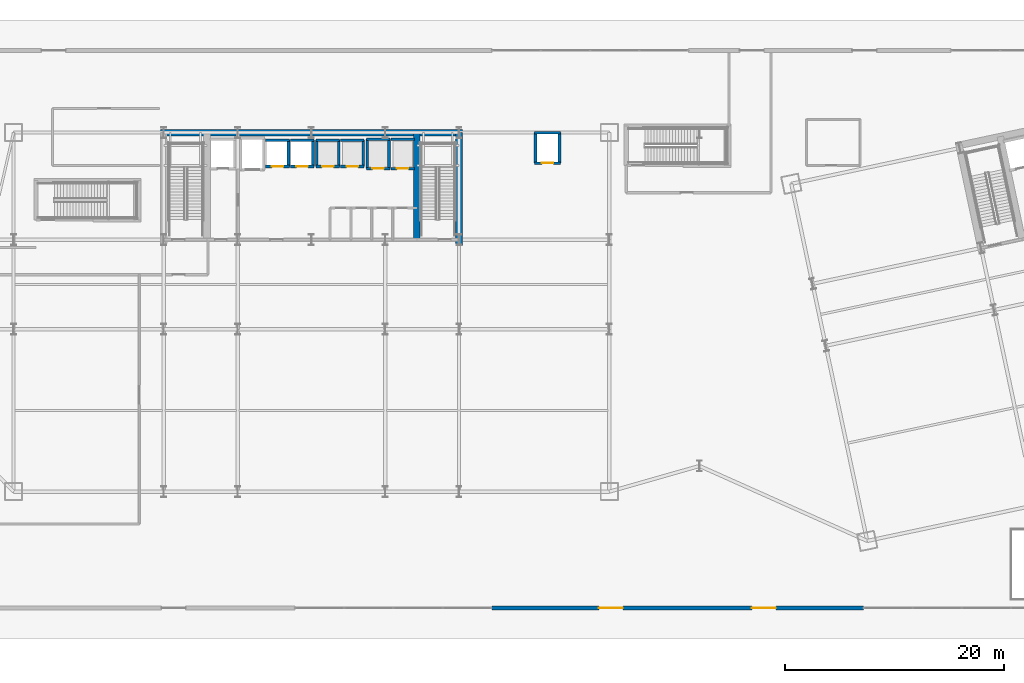
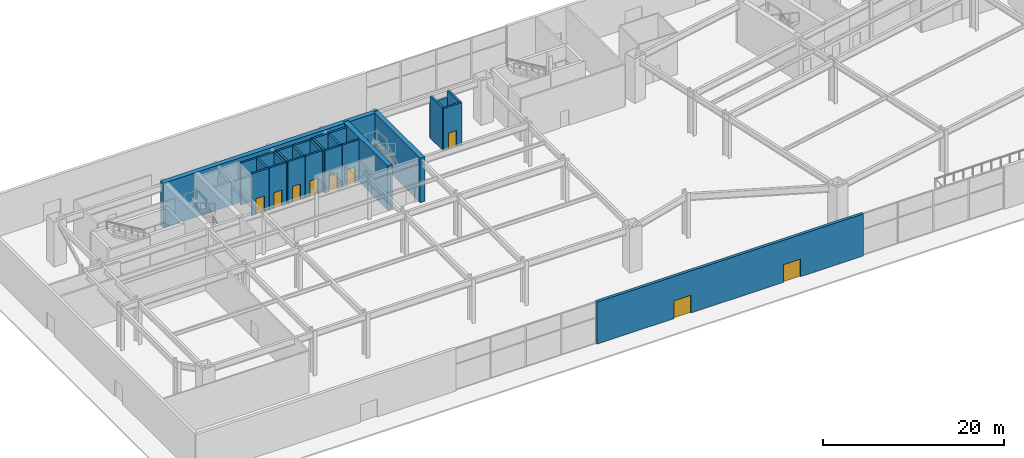
# One storey, part 21 of 30: 27 walls, 9 doors, 9 openings.
"""IFC4 building model written with IfcOpenShell, lengths in metres."""

from ifc_helpers import new_model, si_unit, direction, frame, frame_2d, origin, place, context, subcontext, project, spatial, rectangle, extrude, material, layer, layer_set, type_object, element, fill, save


model = new_model("IFC4")

# Units and contexts
model_context = context("Model", 3, precision=1e-05, world=origin(), true_north=direction((0.0, 1.0)))
body_context = subcontext(model_context, "Body", "Model", "MODEL_VIEW")
ifc_project = project(units=[si_unit("LENGTHUNIT", "METRE"), si_unit("AREAUNIT", "SQUARE_METRE"), si_unit("VOLUMEUNIT", "CUBIC_METRE"), si_unit("PLANEANGLEUNIT", "RADIAN"), si_unit("MASSUNIT", "GRAM", prefix="KILO")], contexts=[model_context])

# Site, building, storey
site_placement = place(None, origin())
site = spatial("IfcSite", under=ifc_project, at=site_placement, CompositionType="ELEMENT")
building_placement = place(site_placement, origin())
building = spatial("IfcBuilding", under=site, at=building_placement, Name="Haevon Station Towers", CompositionType="ELEMENT")
storey_placement = place(building_placement, origin())
storey = spatial("IfcBuildingStorey", under=building, at=storey_placement, Name="L00", CompositionType="ELEMENT", Elevation=0.0)

# Walls
ifc_material_1 = material(Name="Concrete C60/75", Category="concrete")
ifc_layer_1 = layer(ifc_material_1, 0.60009765625)
ifc_layer_set_1 = layer_set([ifc_layer_1], Name="Concrete C60/75")
wall_type_1 = type_object("IfcWallType", Name="WL-CR600", PredefinedType="SHEAR", material=ifc_layer_set_1)
wall_1_placement = place(storey_placement, frame((23.699951171875, 48.0, 0.0), z_axis=(0.0, 0.0, 1.0), x_axis=(1.0, 0.0, 0.0)))
element("IfcWall", 1, at=wall_1_placement, inside=storey, type_object=wall_type_1, Name="WL-T1CR-L00-N", PredefinedType="SHEAR", context=body_context, shape_type="SweptSolid", body=[
    extrude(rectangle(XDim=27.60009765625, YDim=0.60009765625, at=frame_2d((13.800048828125, 0.0))), origin(), (0.0, 0.0, 1.0), 6.0),
])
wall_2_placement = place(storey_placement, frame((51.0, 37.679931640625, 0.0), z_axis=(0.0, 0.0, 1.0), x_axis=(0.0, 1.0, 0.0)))
element("IfcWall", 2, at=wall_2_placement, inside=storey, type_object=wall_type_1, Name="WL-T1CR-L00-E", PredefinedType="SHEAR", context=body_context, shape_type="SweptSolid", body=[
    extrude(rectangle(XDim=10.320068359375, YDim=0.60009765625, at=frame_2d((5.16015625, 0.0))), origin(), (0.0, 0.0, 1.0), 6.0),
])
wall_3_placement = place(storey_placement, frame((47.14990234375, 38.199951171875, 0.0), z_axis=(0.0, 0.0, 1.0), x_axis=(0.0, 1.0, 0.0)))
element("IfcWall", 3, at=wall_3_placement, inside=storey, type_object=wall_type_1, Name="WL-T1CR-L00-M2", PredefinedType="SHEAR", context=body_context, shape_type="SweptSolid", body=[
    extrude(rectangle(XDim=9.800048828125, YDim=0.60009765625, at=frame_2d((4.89990234375, 0.0))), origin(), (0.0, 0.0, 1.0), 6.0),
])

# Wall, openings, doors
ifc_material_2 = material(Name="Precast concrete C45/55", Category="concrete")
ifc_layer_2 = layer(ifc_material_2, 0.360107421875)
ifc_layer_set_2 = layer_set([ifc_layer_2], Name="Precast concrete C45/55")
wall_type_2 = type_object("IfcWallType", Name="WL-EXT-POD360", PredefinedType="SOLIDWALL", material=ifc_layer_set_2)
wall_4_placement = place(storey_placement, frame((88.0, 4.5, 0.0), z_axis=(0.0, 0.0, 1.0), x_axis=(-1.0, 0.0, 0.0)))
wall_4 = element("IfcWall", 4, at=wall_4_placement, inside=storey, type_object=wall_type_2, Name="WL-POD-L00-S2", PredefinedType="SOLIDWALL", context=body_context, shape_type="SweptSolid", body=[
    extrude(rectangle(XDim=34.0, YDim=0.360107421875, at=frame_2d((17.0, 0.0))), origin(), (0.0, 0.0, 1.0), 5.679931640625),
])
opening_1_placement = place(wall_4_placement, frame((8.0, 0.0, 0.0)))
opening_1 = element("IfcOpeningElement", 5, at=opening_1_placement, cuts=wall_4, Name="Opening DR-L00-EXIT-03", PredefinedType="OPENING", context=body_context, shape_type="SweptSolid", body=[
    extrude(rectangle(XDim=2.199951171875, YDim=2.39990234375, at=frame_2d((1.10009765625, 1.199951171875))), frame((0.0, 0.18994140625, 0.0), z_axis=(0.0, -1.0, 0.0), x_axis=(1.0, 0.0, 0.0)), (0.0, 0.0, 1.0), 0.380126953125),
])
opening_2_placement = place(wall_4_placement, frame((22.0, 0.0, 0.0)))
opening_2 = element("IfcOpeningElement", 6, at=opening_2_placement, cuts=wall_4, Name="Opening DR-L00-EXIT-04", PredefinedType="OPENING", context=body_context, shape_type="SweptSolid", body=[
    extrude(rectangle(XDim=2.199951171875, YDim=2.39990234375, at=frame_2d((1.10009765625, 1.199951171875))), frame((0.0, 0.18994140625, 0.0), z_axis=(0.0, -1.0, 0.0), x_axis=(1.0, 0.0, 0.0)), (0.0, 0.0, 1.0), 0.380126953125),
])
ifc_material_3 = material(Name="Thermally broken anodised aluminium and laminated safety glass", Category="aluminium")
door_type_1 = type_object("IfcDoorType", Name="DR-EXT-2200", OperationType="NOTDEFINED", PredefinedType="DOOR", material=ifc_material_3)
door_1_placement = place(opening_1_placement, origin())
door_1 = element("IfcDoor", 7, at=door_1_placement, inside=storey, type_object=door_type_1, Name="L00 Pedestrian Street Exit Door 03", OperationType="DOUBLE_DOOR_SINGLE_SWING", OverallHeight=2.39990234375, OverallWidth=2.199951171875, PredefinedType="DOOR", context=body_context, shape_type="SweptSolid", body=[
    extrude(rectangle(XDim=2.199951171875, YDim=2.39990234375, at=frame_2d((1.10009765625, 1.199951171875))), frame((0.0, 0.02490234375, 0.0), z_axis=(0.0, -1.0, 0.0), x_axis=(1.0, 0.0, 0.0)), (0.0, 0.0, 1.0), 0.050048828125),
])
fill(opening_1, door_1)
door_2_placement = place(opening_2_placement, origin())
door_2 = element("IfcDoor", 8, at=door_2_placement, inside=storey, type_object=door_type_1, Name="L00 Pedestrian Street Exit Door 04", OperationType="DOUBLE_DOOR_SINGLE_SWING", OverallHeight=2.39990234375, OverallWidth=2.199951171875, PredefinedType="DOOR", context=body_context, shape_type="SweptSolid", body=[
    extrude(rectangle(XDim=2.199951171875, YDim=2.39990234375, at=frame_2d((1.10009765625, 1.199951171875))), frame((0.0, 0.02490234375, 0.0), z_axis=(0.0, -1.0, 0.0), x_axis=(1.0, 0.0, 0.0)), (0.0, 0.0, 1.0), 0.050048828125),
])
fill(opening_2, door_2)

# Wall, opening, door
ifc_material_4 = material(Name="Concrete C40/50", Category="concrete")
ifc_layer_3 = layer(ifc_material_4, 0.239990234375)
ifc_layer_set_3 = layer_set([ifc_layer_3], Name="Concrete C40/50")
wall_type_3 = type_object("IfcWallType", Name="WL-SHF240", PredefinedType="PARTITIONING", material=ifc_layer_set_3)
wall_5_placement = place(storey_placement, frame((33.320068359375, 44.89990234375, 0.0), z_axis=(0.0, 0.0, 1.0), x_axis=(1.0, 0.0, 0.0)))
wall_5 = element("IfcWall", 9, at=wall_5_placement, inside=storey, type_object=wall_type_3, Name="WL-SHF-PL1-L00", PredefinedType="PARTITIONING", context=body_context, shape_type="SweptSolid", body=[
    extrude(rectangle(XDim=2.159912109375, YDim=0.239990234375, at=frame_2d((1.080078125, 0.0))), origin(), (0.0, 0.0, 1.0), 5.679931640625),
])
opening_3_placement = place(wall_5_placement, frame((0.554931640625, 0.0, 0.0)))
opening_3 = element("IfcOpeningElement", 10, at=opening_3_placement, cuts=wall_5, Name="Opening LD-PL1-L00", PredefinedType="OPENING", context=body_context, shape_type="SweptSolid", body=[
    extrude(rectangle(XDim=1.050048828125, YDim=2.14990234375, at=frame_2d((0.52490234375, 1.074951171875))), frame((0.0, 0.1298828125, 0.0), z_axis=(0.0, -1.0, 0.0), x_axis=(1.0, 0.0, 0.0)), (0.0, 0.0, 1.0), 0.260009765625),
])
ifc_material_5 = material(Name="Stainless steel and rated core", Category="steel")
door_type_2 = type_object("IfcDoorType", Name="LD-PL1050", OperationType="SLIDING_TO_LEFT", PredefinedType="DOOR", material=ifc_material_5)
door_3_placement = place(opening_3_placement, origin())
door_3 = element("IfcDoor", 11, at=door_3_placement, inside=storey, type_object=door_type_2, Name="L00 Lift PL1 Sliding Landing Door", OperationType="SLIDING_TO_LEFT", OverallHeight=2.14990234375, OverallWidth=1.050048828125, PredefinedType="DOOR", context=body_context, shape_type="SweptSolid", body=[
    extrude(rectangle(XDim=1.050048828125, YDim=2.14990234375, at=frame_2d((0.52490234375, 1.074951171875))), frame((0.0, 0.02490234375, 0.0), z_axis=(0.0, -1.0, 0.0), x_axis=(1.0, 0.0, 0.0)), (0.0, 0.0, 1.0), 0.050048828125),
])
fill(opening_3, door_3)

# Walls
wall_6_placement = place(storey_placement, frame((33.320068359375, 47.300048828125, 0.0), z_axis=(0.0, 0.0, 1.0), x_axis=(1.0, 0.0, 0.0)))
element("IfcWall", 12, at=wall_6_placement, inside=storey, type_object=wall_type_3, Name="WL-SHF-PL1-L00-N", PredefinedType="PARTITIONING", context=body_context, shape_type="SweptSolid", body=[
    extrude(rectangle(XDim=2.159912109375, YDim=0.239990234375, at=frame_2d((1.080078125, 0.0))), origin(), (0.0, 0.0, 1.0), 5.679931640625),
])
wall_7_placement = place(storey_placement, frame((35.39990234375, 44.89990234375, 0.0), z_axis=(0.0, 0.0, 1.0), x_axis=(0.0, 1.0, 0.0)))
element("IfcWall", 13, at=wall_7_placement, inside=storey, type_object=wall_type_3, Name="WL-SHF-PL1-L00-E", PredefinedType="PARTITIONING", context=body_context, shape_type="SweptSolid", body=[
    extrude(rectangle(XDim=2.400146484375, YDim=0.239990234375, at=frame_2d((1.2001953125, 0.0))), origin(), (0.0, 0.0, 1.0), 5.679931640625),
])

# Wall, opening, door
wall_8_placement = place(storey_placement, frame((35.570068359375, 44.89990234375, 0.0), z_axis=(0.0, 0.0, 1.0), x_axis=(1.0, 0.0, 0.0)))
wall_8 = element("IfcWall", 14, at=wall_8_placement, inside=storey, type_object=wall_type_3, Name="WL-SHF-PL2-L00", PredefinedType="PARTITIONING", context=body_context, shape_type="SweptSolid", body=[
    extrude(rectangle(XDim=2.159912109375, YDim=0.239990234375, at=frame_2d((1.080078125, 0.0))), origin(), (0.0, 0.0, 1.0), 5.679931640625),
])
opening_4_placement = place(wall_8_placement, frame((0.554931640625, 0.0, 0.0)))
opening_4 = element("IfcOpeningElement", 15, at=opening_4_placement, cuts=wall_8, Name="Opening LD-PL2-L00", PredefinedType="OPENING", context=body_context, shape_type="SweptSolid", body=[
    extrude(rectangle(XDim=1.050048828125, YDim=2.14990234375, at=frame_2d((0.52490234375, 1.074951171875))), frame((0.0, 0.1298828125, 0.0), z_axis=(0.0, -1.0, 0.0), x_axis=(1.0, 0.0, 0.0)), (0.0, 0.0, 1.0), 0.260009765625),
])
door_4_placement = place(opening_4_placement, origin())
door_4 = element("IfcDoor", 16, at=door_4_placement, inside=storey, type_object=door_type_2, Name="L00 Lift PL2 Sliding Landing Door", OperationType="SLIDING_TO_LEFT", OverallHeight=2.14990234375, OverallWidth=1.050048828125, PredefinedType="DOOR", context=body_context, shape_type="SweptSolid", body=[
    extrude(rectangle(XDim=1.050048828125, YDim=2.14990234375, at=frame_2d((0.52490234375, 1.074951171875))), frame((0.0, 0.02490234375, 0.0), z_axis=(0.0, -1.0, 0.0), x_axis=(1.0, 0.0, 0.0)), (0.0, 0.0, 1.0), 0.050048828125),
])
fill(opening_4, door_4)

# Walls
wall_9_placement = place(storey_placement, frame((35.570068359375, 47.300048828125, 0.0), z_axis=(0.0, 0.0, 1.0), x_axis=(1.0, 0.0, 0.0)))
element("IfcWall", 17, at=wall_9_placement, inside=storey, type_object=wall_type_3, Name="WL-SHF-PL2-L00-N", PredefinedType="PARTITIONING", context=body_context, shape_type="SweptSolid", body=[
    extrude(rectangle(XDim=2.159912109375, YDim=0.239990234375, at=frame_2d((1.080078125, 0.0))), origin(), (0.0, 0.0, 1.0), 5.679931640625),
])
wall_10_placement = place(storey_placement, frame((37.64990234375, 44.89990234375, 0.0), z_axis=(0.0, 0.0, 1.0), x_axis=(0.0, 1.0, 0.0)))
element("IfcWall", 18, at=wall_10_placement, inside=storey, type_object=wall_type_3, Name="WL-SHF-PL2-L00-E", PredefinedType="PARTITIONING", context=body_context, shape_type="SweptSolid", body=[
    extrude(rectangle(XDim=2.400146484375, YDim=0.239990234375, at=frame_2d((1.2001953125, 0.0))), origin(), (0.0, 0.0, 1.0), 5.679931640625),
])

# Wall, opening, door
wall_11_placement = place(storey_placement, frame((37.919921875, 44.89990234375, 0.0), z_axis=(0.0, 0.0, 1.0), x_axis=(1.0, 0.0, 0.0)))
wall_11 = element("IfcWall", 19, at=wall_11_placement, inside=storey, type_object=wall_type_3, Name="WL-SHF-PL3-L00", PredefinedType="PARTITIONING", context=body_context, shape_type="SweptSolid", body=[
    extrude(rectangle(XDim=2.16015625, YDim=0.239990234375, at=frame_2d((1.080078125, 0.0))), origin(), (0.0, 0.0, 1.0), 5.679931640625),
])
opening_5_placement = place(wall_11_placement, frame((0.554931640625, 0.0, 0.0)))
opening_5 = element("IfcOpeningElement", 20, at=opening_5_placement, cuts=wall_11, Name="Opening LD-PL3-L00", PredefinedType="OPENING", context=body_context, shape_type="SweptSolid", body=[
    extrude(rectangle(XDim=1.050048828125, YDim=2.14990234375, at=frame_2d((0.52490234375, 1.074951171875))), frame((0.0, 0.1298828125, 0.0), z_axis=(0.0, -1.0, 0.0), x_axis=(1.0, 0.0, 0.0)), (0.0, 0.0, 1.0), 0.260009765625),
])
door_5_placement = place(opening_5_placement, origin())
door_5 = element("IfcDoor", 21, at=door_5_placement, inside=storey, type_object=door_type_2, Name="L00 Lift PL3 Sliding Landing Door", OperationType="SLIDING_TO_LEFT", OverallHeight=2.14990234375, OverallWidth=1.050048828125, PredefinedType="DOOR", context=body_context, shape_type="SweptSolid", body=[
    extrude(rectangle(XDim=1.050048828125, YDim=2.14990234375, at=frame_2d((0.52490234375, 1.074951171875))), frame((0.0, 0.02490234375, 0.0), z_axis=(0.0, -1.0, 0.0), x_axis=(1.0, 0.0, 0.0)), (0.0, 0.0, 1.0), 0.050048828125),
])
fill(opening_5, door_5)

# Walls
wall_12_placement = place(storey_placement, frame((37.919921875, 47.300048828125, 0.0), z_axis=(0.0, 0.0, 1.0), x_axis=(1.0, 0.0, 0.0)))
element("IfcWall", 22, at=wall_12_placement, inside=storey, type_object=wall_type_3, Name="WL-SHF-PL3-L00-N", PredefinedType="PARTITIONING", context=body_context, shape_type="SweptSolid", body=[
    extrude(rectangle(XDim=2.16015625, YDim=0.239990234375, at=frame_2d((1.080078125, 0.0))), origin(), (0.0, 0.0, 1.0), 5.679931640625),
])
for number, where, z_axis, x_axis, name in (
    (23, (38.0, 44.89990234375, 0.0), (0.0, 0.0, 1.0), (0.0, 1.0, 0.0), "WL-SHF-PL3-L00-W"),
    (24, (40.0, 44.89990234375, 0.0), (0.0, 0.0, 1.0), (0.0, 1.0, 0.0), "WL-SHF-PL3-L00-E"),
):
    element("IfcWall", number, at=place(storey_placement, frame(where, z_axis=z_axis, x_axis=x_axis)), inside=storey, type_object=wall_type_3, Name=name, PredefinedType="PARTITIONING", context=body_context, shape_type="SweptSolid", body=[
        extrude(rectangle(XDim=2.400146484375, YDim=0.239990234375, at=frame_2d((1.2001953125, 0.0))), origin(), (0.0, 0.0, 1.0), 5.679931640625),
    ])

# Wall, opening, door
wall_13_placement = place(storey_placement, frame((40.169921875, 44.89990234375, 0.0), z_axis=(0.0, 0.0, 1.0), x_axis=(1.0, 0.0, 0.0)))
wall_13 = element("IfcWall", 25, at=wall_13_placement, inside=storey, type_object=wall_type_3, Name="WL-SHF-PL4-L00", PredefinedType="PARTITIONING", context=body_context, shape_type="SweptSolid", body=[
    extrude(rectangle(XDim=2.16015625, YDim=0.239990234375, at=frame_2d((1.080078125, 0.0))), origin(), (0.0, 0.0, 1.0), 5.679931640625),
])
opening_6_placement = place(wall_13_placement, frame((0.554931640625, 0.0, 0.0)))
opening_6 = element("IfcOpeningElement", 26, at=opening_6_placement, cuts=wall_13, Name="Opening LD-PL4-L00", PredefinedType="OPENING", context=body_context, shape_type="SweptSolid", body=[
    extrude(rectangle(XDim=1.050048828125, YDim=2.14990234375, at=frame_2d((0.52490234375, 1.074951171875))), frame((0.0, 0.1298828125, 0.0), z_axis=(0.0, -1.0, 0.0), x_axis=(1.0, 0.0, 0.0)), (0.0, 0.0, 1.0), 0.260009765625),
])
door_6_placement = place(opening_6_placement, origin())
door_6 = element("IfcDoor", 27, at=door_6_placement, inside=storey, type_object=door_type_2, Name="L00 Lift PL4 Sliding Landing Door", OperationType="SLIDING_TO_LEFT", OverallHeight=2.14990234375, OverallWidth=1.050048828125, PredefinedType="DOOR", context=body_context, shape_type="SweptSolid", body=[
    extrude(rectangle(XDim=1.050048828125, YDim=2.14990234375, at=frame_2d((0.52490234375, 1.074951171875))), frame((0.0, 0.02490234375, 0.0), z_axis=(0.0, -1.0, 0.0), x_axis=(1.0, 0.0, 0.0)), (0.0, 0.0, 1.0), 0.050048828125),
])
fill(opening_6, door_6)

# Walls
wall_14_placement = place(storey_placement, frame((40.169921875, 47.300048828125, 0.0), z_axis=(0.0, 0.0, 1.0), x_axis=(1.0, 0.0, 0.0)))
element("IfcWall", 28, at=wall_14_placement, inside=storey, type_object=wall_type_3, Name="WL-SHF-PL4-L00-N", PredefinedType="PARTITIONING", context=body_context, shape_type="SweptSolid", body=[
    extrude(rectangle(XDim=2.16015625, YDim=0.239990234375, at=frame_2d((1.080078125, 0.0))), origin(), (0.0, 0.0, 1.0), 5.679931640625),
])
wall_15_placement = place(storey_placement, frame((42.25, 44.89990234375, 0.0), z_axis=(0.0, 0.0, 1.0), x_axis=(0.0, 1.0, 0.0)))
element("IfcWall", 29, at=wall_15_placement, inside=storey, type_object=wall_type_3, Name="WL-SHF-PL4-L00-E", PredefinedType="PARTITIONING", context=body_context, shape_type="SweptSolid", body=[
    extrude(rectangle(XDim=2.400146484375, YDim=0.239990234375, at=frame_2d((1.2001953125, 0.0))), origin(), (0.0, 0.0, 1.0), 5.679931640625),
])

# Wall, opening, door
wall_16_placement = place(storey_placement, frame((42.52001953125, 44.699951171875, 0.0), z_axis=(0.0, 0.0, 1.0), x_axis=(1.0, 0.0, 0.0)))
wall_16 = element("IfcWall", 30, at=wall_16_placement, inside=storey, type_object=wall_type_3, Name="WL-SHF-PL5-L00", PredefinedType="PARTITIONING", context=body_context, shape_type="SweptSolid", body=[
    extrude(rectangle(XDim=2.159912109375, YDim=0.239990234375, at=frame_2d((1.080078125, 0.0))), origin(), (0.0, 0.0, 1.0), 5.679931640625),
])
opening_7_placement = place(wall_16_placement, frame((0.554931640625, 0.0, 0.0)))
opening_7 = element("IfcOpeningElement", 31, at=opening_7_placement, cuts=wall_16, Name="Opening LD-PL5-L00", PredefinedType="OPENING", context=body_context, shape_type="SweptSolid", body=[
    extrude(rectangle(XDim=1.050048828125, YDim=2.14990234375, at=frame_2d((0.52490234375, 1.074951171875))), frame((0.0, 0.1298828125, 0.0), z_axis=(0.0, -1.0, 0.0), x_axis=(1.0, 0.0, 0.0)), (0.0, 0.0, 1.0), 0.260009765625),
])
door_7_placement = place(opening_7_placement, origin())
door_7 = element("IfcDoor", 32, at=door_7_placement, inside=storey, type_object=door_type_2, Name="L00 Lift PL5 Sliding Landing Door", OperationType="SLIDING_TO_LEFT", OverallHeight=2.14990234375, OverallWidth=1.050048828125, PredefinedType="DOOR", context=body_context, shape_type="SweptSolid", body=[
    extrude(rectangle(XDim=1.050048828125, YDim=2.14990234375, at=frame_2d((0.52490234375, 1.074951171875))), frame((0.0, 0.02490234375, 0.0), z_axis=(0.0, -1.0, 0.0), x_axis=(1.0, 0.0, 0.0)), (0.0, 0.0, 1.0), 0.050048828125),
])
fill(opening_7, door_7)

# Walls
wall_17_placement = place(storey_placement, frame((42.52001953125, 47.39990234375, 0.0), z_axis=(0.0, 0.0, 1.0), x_axis=(1.0, 0.0, 0.0)))
element("IfcWall", 33, at=wall_17_placement, inside=storey, type_object=wall_type_3, Name="WL-SHF-PL5-L00-N", PredefinedType="PARTITIONING", context=body_context, shape_type="SweptSolid", body=[
    extrude(rectangle(XDim=2.159912109375, YDim=0.239990234375, at=frame_2d((1.080078125, 0.0))), origin(), (0.0, 0.0, 1.0), 5.679931640625),
])
for number, where, z_axis, x_axis, name in (
    (34, (42.60009765625, 44.699951171875, 0.0), (0.0, 0.0, 1.0), (0.0, 1.0, 0.0), "WL-SHF-PL5-L00-W"),
    (35, (44.60009765625, 44.699951171875, 0.0), (0.0, 0.0, 1.0), (0.0, 1.0, 0.0), "WL-SHF-PL5-L00-E"),
):
    element("IfcWall", number, at=place(storey_placement, frame(where, z_axis=z_axis, x_axis=x_axis)), inside=storey, type_object=wall_type_3, Name=name, PredefinedType="PARTITIONING", context=body_context, shape_type="SweptSolid", body=[
        extrude(rectangle(XDim=2.699951171875, YDim=0.239990234375, at=frame_2d((1.35009765625, 0.0))), origin(), (0.0, 0.0, 1.0), 5.679931640625),
    ])

# Wall, opening, door
wall_18_placement = place(storey_placement, frame((44.77001953125, 44.699951171875, 0.0), z_axis=(0.0, 0.0, 1.0), x_axis=(1.0, 0.0, 0.0)))
wall_18 = element("IfcWall", 36, at=wall_18_placement, inside=storey, type_object=wall_type_3, Name="WL-SHF-PL6-L00", PredefinedType="PARTITIONING", context=body_context, shape_type="SweptSolid", body=[
    extrude(rectangle(XDim=2.159912109375, YDim=0.239990234375, at=frame_2d((1.080078125, 0.0))), origin(), (0.0, 0.0, 1.0), 5.679931640625),
])
opening_8_placement = place(wall_18_placement, frame((0.554931640625, 0.0, 0.0)))
opening_8 = element("IfcOpeningElement", 37, at=opening_8_placement, cuts=wall_18, Name="Opening LD-PL6-L00", PredefinedType="OPENING", context=body_context, shape_type="SweptSolid", body=[
    extrude(rectangle(XDim=1.050048828125, YDim=2.14990234375, at=frame_2d((0.52490234375, 1.074951171875))), frame((0.0, 0.1298828125, 0.0), z_axis=(0.0, -1.0, 0.0), x_axis=(1.0, 0.0, 0.0)), (0.0, 0.0, 1.0), 0.260009765625),
])
door_8_placement = place(opening_8_placement, origin())
door_8 = element("IfcDoor", 38, at=door_8_placement, inside=storey, type_object=door_type_2, Name="L00 Lift PL6 Sliding Landing Door", OperationType="SLIDING_TO_LEFT", OverallHeight=2.14990234375, OverallWidth=1.050048828125, PredefinedType="DOOR", context=body_context, shape_type="SweptSolid", body=[
    extrude(rectangle(XDim=1.050048828125, YDim=2.14990234375, at=frame_2d((0.52490234375, 1.074951171875))), frame((0.0, 0.02490234375, 0.0), z_axis=(0.0, -1.0, 0.0), x_axis=(1.0, 0.0, 0.0)), (0.0, 0.0, 1.0), 0.050048828125),
])
fill(opening_8, door_8)

# Wall
wall_19_placement = place(storey_placement, frame((44.77001953125, 47.39990234375, 0.0), z_axis=(0.0, 0.0, 1.0), x_axis=(1.0, 0.0, 0.0)))
element("IfcWall", 39, at=wall_19_placement, inside=storey, type_object=wall_type_3, Name="WL-SHF-PL6-L00-N", PredefinedType="PARTITIONING", context=body_context, shape_type="SweptSolid", body=[
    extrude(rectangle(XDim=2.159912109375, YDim=0.239990234375, at=frame_2d((1.080078125, 0.0))), origin(), (0.0, 0.0, 1.0), 5.679931640625),
])

# Wall, opening, door
wall_20_placement = place(storey_placement, frame((57.919921875, 45.199951171875, 0.0), z_axis=(0.0, 0.0, 1.0), x_axis=(1.0, 0.0, 0.0)))
wall_20 = element("IfcWall", 40, at=wall_20_placement, inside=storey, type_object=wall_type_3, Name="WL-SHF-PL11-L00", PredefinedType="PARTITIONING", context=body_context, shape_type="SweptSolid", body=[
    extrude(rectangle(XDim=2.360107421875, YDim=0.239990234375, at=frame_2d((1.18017578125, 0.0))), origin(), (0.0, 0.0, 1.0), 5.679931640625),
])
opening_9_placement = place(wall_20_placement, frame((0.655029296875, 0.0, 0.0)))
opening_9 = element("IfcOpeningElement", 41, at=opening_9_placement, cuts=wall_20, Name="Opening LD-PL11-L00", PredefinedType="OPENING", context=body_context, shape_type="SweptSolid", body=[
    extrude(rectangle(XDim=1.050048828125, YDim=2.14990234375, at=frame_2d((0.52490234375, 1.074951171875))), frame((0.0, 0.1298828125, 0.0), z_axis=(0.0, -1.0, 0.0), x_axis=(1.0, 0.0, 0.0)), (0.0, 0.0, 1.0), 0.260009765625),
])
door_9_placement = place(opening_9_placement, origin())
door_9 = element("IfcDoor", 42, at=door_9_placement, inside=storey, type_object=door_type_2, Name="L00 Lift PL11 Sliding Landing Door", OperationType="SLIDING_TO_LEFT", OverallHeight=2.14990234375, OverallWidth=1.050048828125, PredefinedType="DOOR", context=body_context, shape_type="SweptSolid", body=[
    extrude(rectangle(XDim=1.050048828125, YDim=2.14990234375, at=frame_2d((0.52490234375, 1.074951171875))), frame((0.0, 0.02490234375, 0.0), z_axis=(0.0, -1.0, 0.0), x_axis=(1.0, 0.0, 0.0)), (0.0, 0.0, 1.0), 0.050048828125),
])
fill(opening_9, door_9)

# Walls
wall_21_placement = place(storey_placement, frame((57.919921875, 48.0, 0.0), z_axis=(0.0, 0.0, 1.0), x_axis=(1.0, 0.0, 0.0)))
element("IfcWall", 43, at=wall_21_placement, inside=storey, type_object=wall_type_3, Name="WL-SHF-PL11-L00-N", PredefinedType="PARTITIONING", context=body_context, shape_type="SweptSolid", body=[
    extrude(rectangle(XDim=2.360107421875, YDim=0.239990234375, at=frame_2d((1.18017578125, 0.0))), origin(), (0.0, 0.0, 1.0), 4.780029296875),
])
for number, where, z_axis, x_axis, name in (
    (44, (58.0, 45.199951171875, 0.0), (0.0, 0.0, 1.0), (0.0, 1.0, 0.0), "WL-SHF-PL11-L00-W"),
    (45, (60.199951171875, 45.199951171875, 0.0), (0.0, 0.0, 1.0), (0.0, 1.0, 0.0), "WL-SHF-PL11-L00-E"),
):
    element("IfcWall", number, at=place(storey_placement, frame(where, z_axis=z_axis, x_axis=x_axis)), inside=storey, type_object=wall_type_3, Name=name, PredefinedType="PARTITIONING", context=body_context, shape_type="SweptSolid", body=[
        extrude(rectangle(XDim=2.800048828125, YDim=0.239990234375, at=frame_2d((1.39990234375, 0.0))), origin(), (0.0, 0.0, 1.0), 5.679931640625),
    ])

save(model, "model.ifc")
